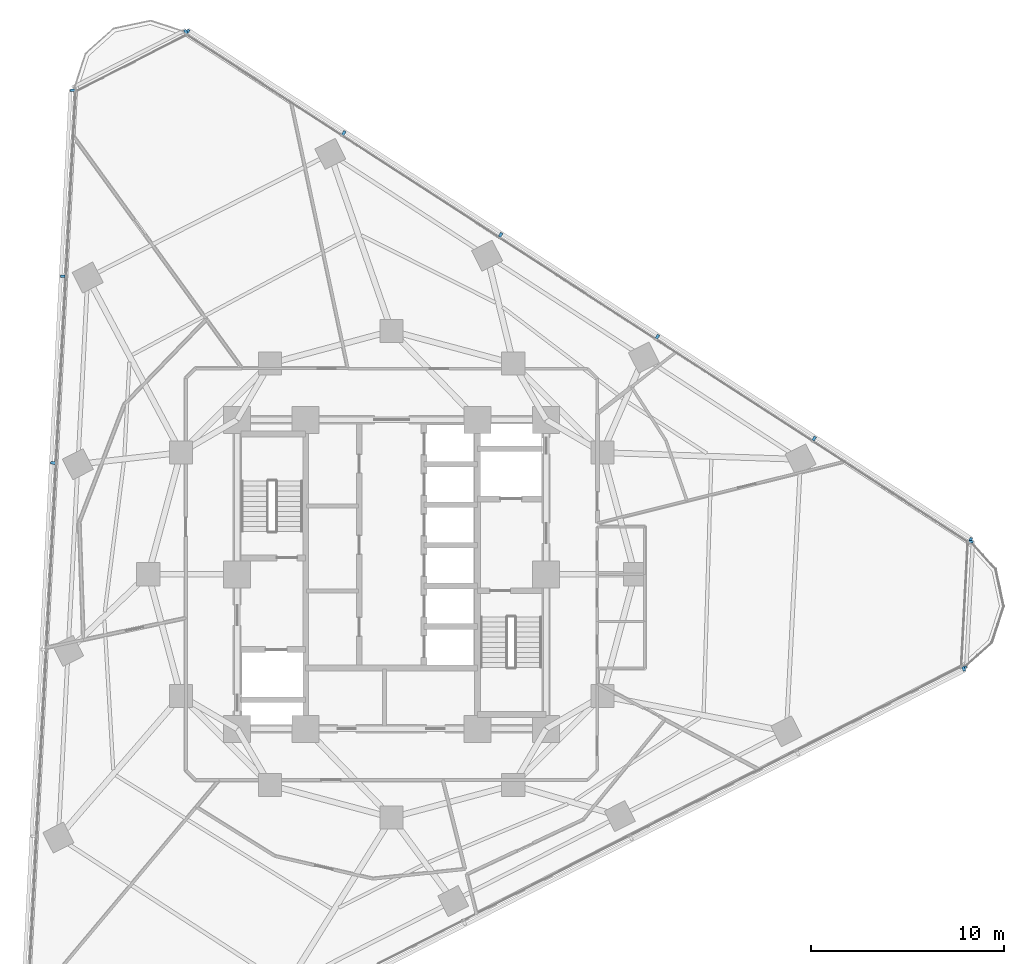
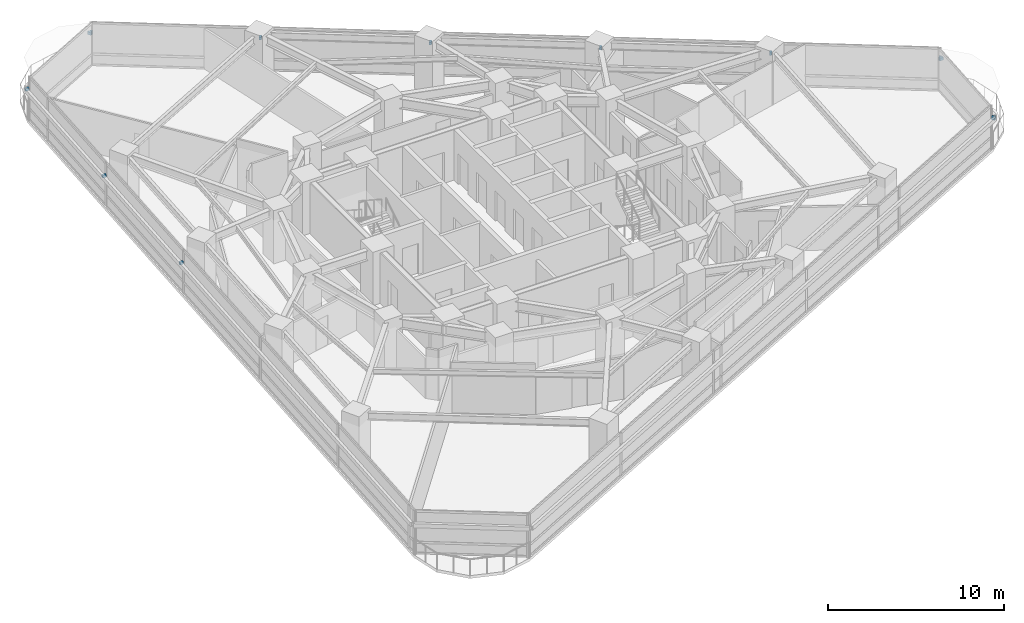
# One storey, part 11 of 14: 13 discrete accessories.
"""IFC4 building model written with IfcOpenShell, lengths in metres."""

from ifc_helpers import new_model, si_unit, direction, frame, origin, origin_2d, place, context, subcontext, project, spatial, rectangle, extrude, material, type_object, element, save


model = new_model("IFC4")

# Units and contexts
model_context = context("Model", 3, precision=1e-05, world=origin(), true_north=direction((0.0, 1.0)))
body_context = subcontext(model_context, "Body", "Model", "MODEL_VIEW")
ifc_project = project(units=[si_unit("LENGTHUNIT", "METRE"), si_unit("AREAUNIT", "SQUARE_METRE"), si_unit("VOLUMEUNIT", "CUBIC_METRE"), si_unit("PLANEANGLEUNIT", "RADIAN"), si_unit("MASSUNIT", "GRAM", prefix="KILO")], contexts=[model_context])

# Site, building, storey
site_placement = place(None, origin())
site = spatial("IfcSite", under=ifc_project, at=site_placement, CompositionType="ELEMENT")
building_placement = place(site_placement, origin())
building = spatial("IfcBuilding", under=site, at=building_placement, Name="Terralouvre Media Tower", CompositionType="ELEMENT")
storey_placement = place(building_placement, frame((0.0, 0.0, 127.300048828125)))
storey = spatial("IfcBuildingStorey", under=building, at=storey_placement, Name="L32", CompositionType="ELEMENT", Elevation=127.300048828125)

# Discrete accessories
ifc_material = material(Name="Anodised extruded aluminium 6063-T6", Category="aluminium")
discrete_accessory_type = type_object("IfcDiscreteAccessoryType", Name="Mullion Stand-Off Baguette Fixing Bracket BK-01", PredefinedType="BRACKET", material=ifc_material)
for number, where, z_axis, x_axis, name in (
    (1, (29.615478515625, -4.90087890625, 2.07421875), (0.0, 0.0, 1.0), (0.891006501178, 0.4539905449, 0.0), "CW-L32-F0 Baguette Outrigger Bracket 1.06"),
    (2, (29.96533203125, 1.778564453125, 2.07421875), (0.0, 0.0, 1.0), (-0.838670588944, 0.544639002681, 0.0), "CW-L32-F1 Baguette Outrigger Bracket 1.01"),
    (3, (21.87841796875, 7.030029296875, 2.07421875), (0.0, 0.0, 1.0), (-0.838670588944, 0.544639002681, 0.0), "CW-L32-F1 Baguette Outrigger Bracket 1.02"),
    (4, (13.76025390625, 12.30224609375, 2.07421875), (0.0, 0.0, 1.0), (-0.838670588944, 0.544639002681, 0.0), "CW-L32-F1 Baguette Outrigger Bracket 1.03"),
    (5, (5.641845703125, 17.574462890625, 2.07421875), (0.0, 0.0, 1.0), (-0.838670588944, 0.544639002681, 0.0), "CW-L32-F1 Baguette Outrigger Bracket 1.04"),
    (6, (-2.4765625, 22.846435546875, 2.07421875), (0.0, 0.0, 1.0), (-0.838670588944, 0.544639002681, 0.0), "CW-L32-F1 Baguette Outrigger Bracket 1.05"),
    (7, (-10.563232421875, 28.09814453125, 2.07421875), (0.0, 0.0, 1.0), (-0.838670588944, 0.544639002681, 0.0), "CW-L32-F1 Baguette Outrigger Bracket 1.06"),
    (8, (-16.52294921875, 25.0615234375, 2.07421875), (0.0, 0.0, 1.0), (-0.052335949864, -0.998629535089, 0.0), "CW-L32-F2 Baguette Outrigger Bracket 1.01"),
    (9, (-17.027587890625, 15.432373046875, 2.07421875), (0.0, 0.0, 1.0), (-0.052335949864, -0.998629535089, 0.0), "CW-L32-F2 Baguette Outrigger Bracket 1.02"),
    (10, (-17.5341796875, 5.765625, 2.07421875), (0.0, 0.0, 1.0), (-0.052335949864, -0.998629535089, 0.0), "CW-L32-F2 Baguette Outrigger Bracket 1.03"),
    (11, (29.652587890625, -4.81201171875, 2.07421875), (0.0, 0.0, 1.0), (0.052336823006, 0.998629489329, 0.0), "CW-L32-C1 Baguette Outrigger Bracket 1.01"),
    (12, (29.9931640625, 1.68603515625, 2.07421875), (0.0, 0.0, 1.0), (0.052336823006, 0.998629489329, 0.0), "CW-L32-C1 Baguette Outrigger Bracket 1.02"),
    (13, (-10.6591796875, 28.085693359375, 2.07421875), (0.0, 0.0, 1.0), (-0.891006600184, -0.45399035059, 0.0), "CW-L32-C2 Baguette Outrigger Bracket 1.01"),
):
    element("IfcDiscreteAccessory", number, at=place(storey_placement, frame(where, z_axis=z_axis, x_axis=x_axis)), inside=storey, type_object=discrete_accessory_type, Name=name, PredefinedType="BRACKET", context=body_context, shape_type="SweptSolid", body=[
        extrude(rectangle(XDim=0.139892578125, YDim=0.239990234375, at=origin_2d()), origin(), (0.0, 0.0, 1.0), 0.179931640625),
    ])

save(model, "model.ifc")
